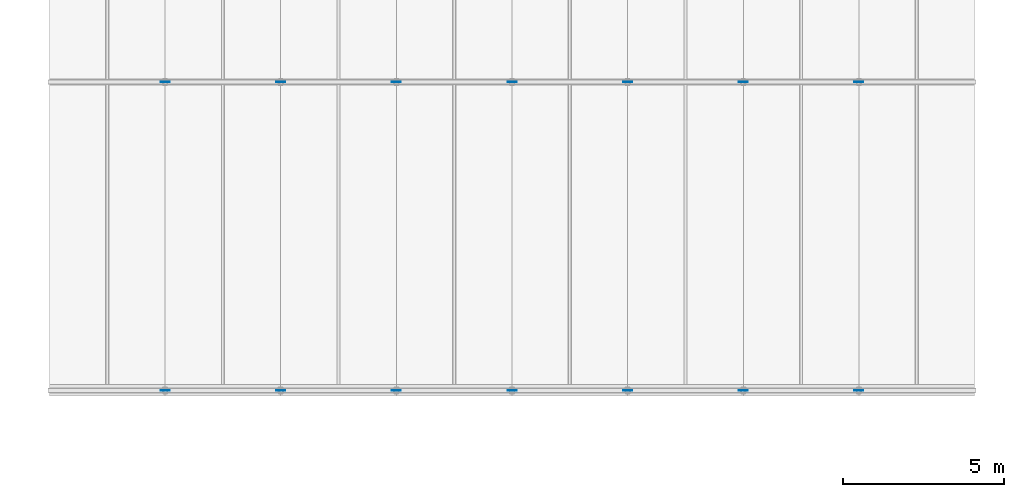
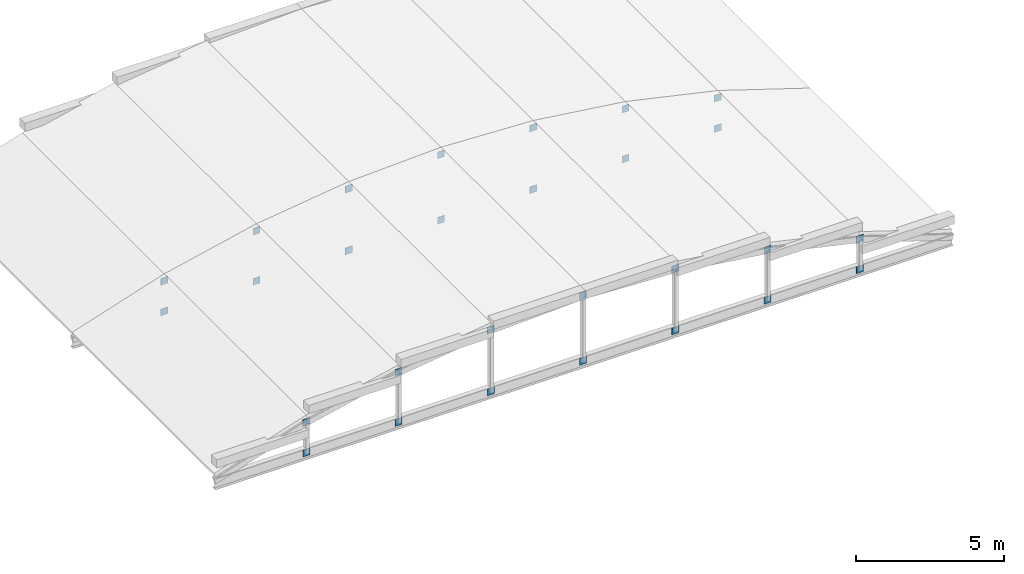
# One storey, part 48 of 70: 28 plates.
"""IFC4 building model written with IfcOpenShell, lengths in metres."""

from ifc_helpers import new_model, si_unit, direction, frame, origin, origin_2d, place, context, subcontext, project, spatial, rectangle, extrude, material, layer, layer_set, type_object, element, save


model = new_model("IFC4")

# Units and contexts
model_context = context("Model", 3, precision=1e-05, world=origin(), true_north=direction((0.0, 1.0)))
body_context = subcontext(model_context, "Body", "Model", "MODEL_VIEW")
ifc_project = project(units=[si_unit("LENGTHUNIT", "METRE"), si_unit("AREAUNIT", "SQUARE_METRE"), si_unit("VOLUMEUNIT", "CUBIC_METRE"), si_unit("PLANEANGLEUNIT", "RADIAN"), si_unit("MASSUNIT", "GRAM", prefix="KILO")], contexts=[model_context])

# Site, building, storey
site_placement = place(None, origin())
site = spatial("IfcSite", under=ifc_project, at=site_placement, CompositionType="ELEMENT")
building_placement = place(site_placement, origin())
building = spatial("IfcBuilding", under=site, at=building_placement, Name="Mavantir Sound Aquarium", CompositionType="ELEMENT")
storey_placement = place(building_placement, frame((0.0, 0.0, 27.0)))
storey = spatial("IfcBuildingStorey", under=building, at=storey_placement, Name="RF", CompositionType="ELEMENT", Elevation=27.0)

# Plates
ifc_material = material(Name="Structural Steel ASTM A572 Gr50", Category="steel")
ifc_layer = layer(ifc_material, 0.01611328125, Name="Structural Steel ASTM A572 Gr50")
ifc_layer_set = layer_set([ifc_layer], Name="Structural Steel ASTM A572 Gr50")
plate_type = type_object("IfcPlateType", Name="PLT-GUSSET-16", PredefinedType="SHEET", material=ifc_layer_set)
for number, where, z_axis, x_axis, name in (
    (1, (70.800048828125, 14.39990234375, -16.8701171875), (0.0, 0.0, 1.0), (1.0, 0.0, 0.0), "Brace end gusset plate GP-01 199"),
    (2, (70.800048828125, 14.39990234375, -15.61181640625), (0.0, 0.0, 1.0), (1.0, 0.0, 0.0), "Brace end gusset plate GP-01 200"),
    (3, (74.39990234375, 14.39990234375, -16.8701171875), (0.0, 0.0, 1.0), (1.0, 0.0, 0.0), "Brace end gusset plate GP-01 201"),
    (4, (74.39990234375, 14.39990234375, -14.80419921875), (0.0, 0.0, 1.0), (1.0, 0.0, 0.0), "Brace end gusset plate GP-01 202"),
    (5, (78.0, 14.39990234375, -16.8701171875), (0.0, 0.0, 1.0), (1.0, 0.0, 0.0), "Brace end gusset plate GP-01 203"),
    (6, (78.0, 14.39990234375, -14.32763671875), (0.0, 0.0, 1.0), (1.0, 0.0, 0.0), "Brace end gusset plate GP-01 204"),
    (7, (81.60009765625, 14.39990234375, -16.8701171875), (0.0, 0.0, 1.0), (1.0, 0.0, 0.0), "Brace end gusset plate GP-01 205"),
    (8, (81.60009765625, 14.39990234375, -14.169921875), (0.0, 0.0, 1.0), (1.0, 0.0, 0.0), "Brace end gusset plate GP-01 206"),
    (9, (85.199951171875, 14.39990234375, -16.8701171875), (0.0, 0.0, 1.0), (1.0, 0.0, 0.0), "Brace end gusset plate GP-01 207"),
    (10, (85.199951171875, 14.39990234375, -14.32763671875), (0.0, 0.0, 1.0), (1.0, 0.0, 0.0), "Brace end gusset plate GP-01 208"),
    (11, (88.800048828125, 14.39990234375, -16.8701171875), (0.0, 0.0, 1.0), (1.0, 0.0, 0.0), "Brace end gusset plate GP-01 209"),
    (12, (88.800048828125, 14.39990234375, -14.80419921875), (0.0, 0.0, 1.0), (1.0, 0.0, 0.0), "Brace end gusset plate GP-01 210"),
    (13, (92.39990234375, 14.39990234375, -16.8701171875), (0.0, 0.0, 1.0), (1.0, 0.0, 0.0), "Brace end gusset plate GP-01 211"),
    (14, (92.39990234375, 14.39990234375, -15.61181640625), (0.0, 0.0, 1.0), (1.0, 0.0, 0.0), "Brace end gusset plate GP-01 212"),
    (15, (70.800048828125, 24.0, -16.8701171875), (0.0, 0.0, 1.0), (1.0, 0.0, 0.0), "Brace end gusset plate GP-01 213"),
    (16, (70.800048828125, 24.0, -15.61181640625), (0.0, 0.0, 1.0), (1.0, 0.0, 0.0), "Brace end gusset plate GP-01 214"),
    (17, (74.39990234375, 24.0, -16.8701171875), (0.0, 0.0, 1.0), (1.0, 0.0, 0.0), "Brace end gusset plate GP-01 215"),
    (18, (74.39990234375, 24.0, -14.80419921875), (0.0, 0.0, 1.0), (1.0, 0.0, 0.0), "Brace end gusset plate GP-01 216"),
    (19, (78.0, 24.0, -16.8701171875), (0.0, 0.0, 1.0), (1.0, 0.0, 0.0), "Brace end gusset plate GP-01 217"),
    (20, (78.0, 24.0, -14.32763671875), (0.0, 0.0, 1.0), (1.0, 0.0, 0.0), "Brace end gusset plate GP-01 218"),
    (21, (81.60009765625, 24.0, -16.8701171875), (0.0, 0.0, 1.0), (1.0, 0.0, 0.0), "Brace end gusset plate GP-01 219"),
    (22, (81.60009765625, 24.0, -14.169921875), (0.0, 0.0, 1.0), (1.0, 0.0, 0.0), "Brace end gusset plate GP-01 220"),
    (23, (85.199951171875, 24.0, -16.8701171875), (0.0, 0.0, 1.0), (1.0, 0.0, 0.0), "Brace end gusset plate GP-01 221"),
    (24, (85.199951171875, 24.0, -14.32763671875), (0.0, 0.0, 1.0), (1.0, 0.0, 0.0), "Brace end gusset plate GP-01 222"),
    (25, (88.800048828125, 24.0, -16.8701171875), (0.0, 0.0, 1.0), (1.0, 0.0, 0.0), "Brace end gusset plate GP-01 223"),
    (26, (88.800048828125, 24.0, -14.80419921875), (0.0, 0.0, 1.0), (1.0, 0.0, 0.0), "Brace end gusset plate GP-01 224"),
    (27, (92.39990234375, 24.0, -16.8701171875), (0.0, 0.0, 1.0), (1.0, 0.0, 0.0), "Brace end gusset plate GP-01 225"),
    (28, (92.39990234375, 24.0, -15.61181640625), (0.0, 0.0, 1.0), (1.0, 0.0, 0.0), "Brace end gusset plate GP-01 226"),
):
    element("IfcPlate", number, at=place(storey_placement, frame(where, z_axis=z_axis, x_axis=x_axis)), inside=storey, type_object=plate_type, Name=name, PredefinedType="SHEET", context=body_context, shape_type="SweptSolid", body=[
        extrude(rectangle(XDim=0.280029296875, YDim=0.01611328125, at=origin_2d()), origin(), (0.0, 0.0, 1.0), 0.280029296875),
    ])

save(model, "model.ifc")
